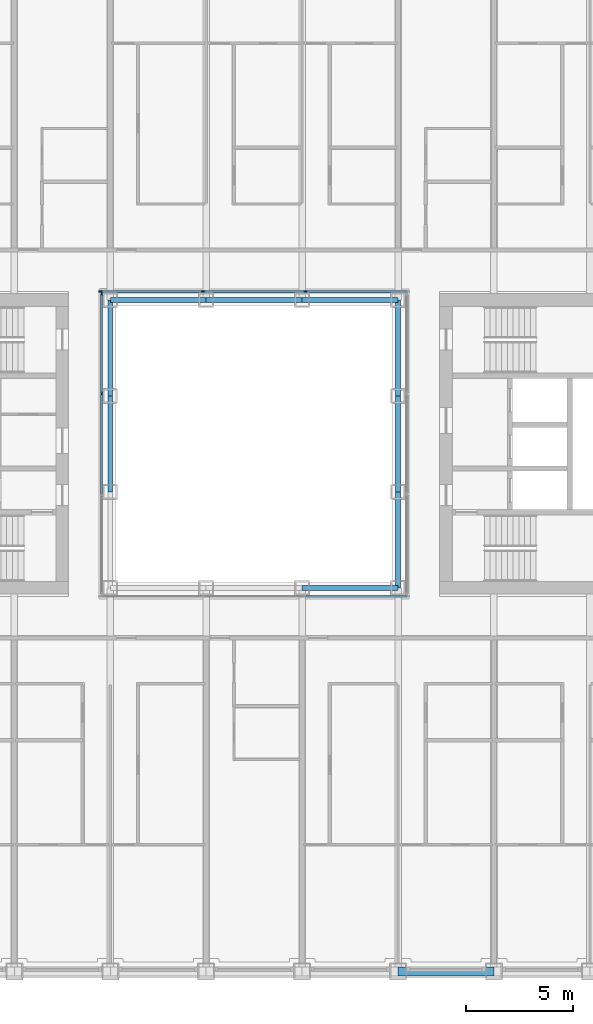
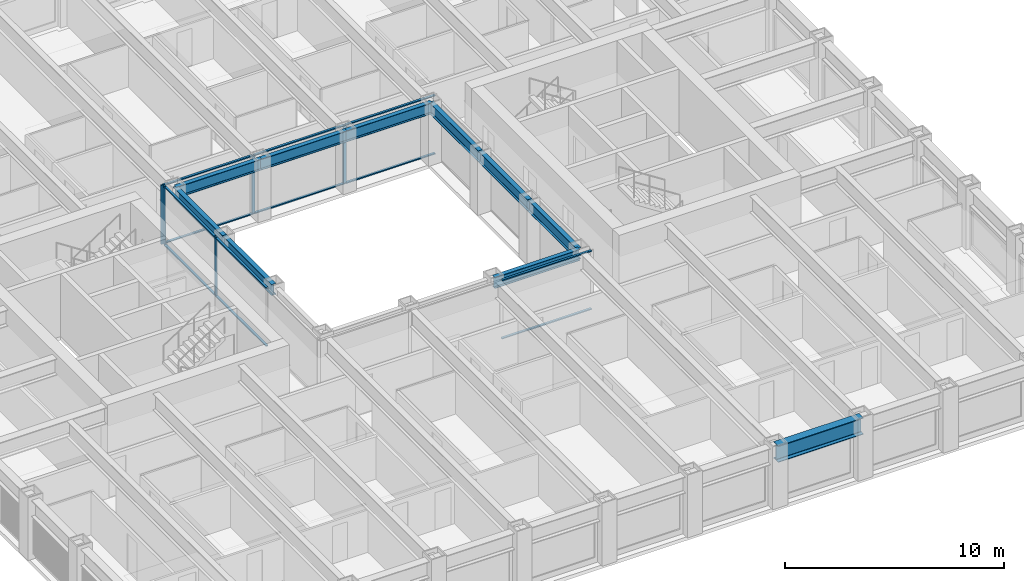
# One storey, part 4 of 20: 17 members, 10 beams, 3 elements without a shape of their own.
"""IFC4 building model written with IfcOpenShell, lengths in metres."""

from ifc_helpers import new_model, si_unit, direction, frame, origin, origin_2d, place, context, subcontext, project, spatial, rectangle, i_section, extrude, material, material_profile, profile_set, type_object, element, aggregate, save


model = new_model("IFC4")

# Units and contexts
model_context = context("Model", 3, precision=1e-05, world=origin(), true_north=direction((0.0, 1.0)))
body_context = subcontext(model_context, "Body", "Model", "MODEL_VIEW")
ifc_project = project(units=[si_unit("LENGTHUNIT", "METRE"), si_unit("AREAUNIT", "SQUARE_METRE"), si_unit("VOLUMEUNIT", "CUBIC_METRE"), si_unit("PLANEANGLEUNIT", "RADIAN"), si_unit("MASSUNIT", "GRAM", prefix="KILO")], contexts=[model_context])

# Site, building, storey
site_placement = place(None, origin())
site = spatial("IfcSite", under=ifc_project, at=site_placement, CompositionType="ELEMENT")
building_placement = place(site_placement, origin())
building = spatial("IfcBuilding", under=site, at=building_placement, Name="Msasa Ring Tower", CompositionType="ELEMENT")
storey_placement = place(building_placement, frame((0.0, 0.0, 61.5)))
storey = spatial("IfcBuildingStorey", under=building, at=storey_placement, Name="L15", CompositionType="ELEMENT", Elevation=61.5)

# Curtain wall, members
ifc_material_1 = material(Name="Aluminium curtain wall with clear glass", Category="aluminium")
curtain_wall_type = type_object("IfcCurtainWallType", Name="CW-W LIGHT WELL CURTAIN WALL", PredefinedType="NOTDEFINED", material=ifc_material_1)
curtain_wall_1_placement = place(storey_placement, origin())
curtain_wall_1 = element("IfcCurtainWall", 1, at=curtain_wall_1_placement, inside=storey, type_object=curtain_wall_type, Name="Light well curtain wall N L15", PredefinedType="NOTDEFINED")
ifc_material_2 = material(Name="Aluminium mullion", Category="aluminium")
ifc_material_profile_1 = material_profile(ifc_material_2, rectangle(XDim=0.06005859375, YDim=0.159912109375, at=origin_2d()), Name="AL 60x160")
ifc_profile_set_1 = profile_set([ifc_material_profile_1], Name="Aluminium mullion")
member_type_1 = type_object("IfcMemberType", Name="CW-W MULLION 60x160", PredefinedType="MULLION", material=ifc_profile_set_1)
member_1_placement = place(storey_placement, frame((-7.199951171875, 7.14990234375, 0.0), z_axis=(0.0, 0.0, 1.0), x_axis=(0.0, 1.0, 0.0)))
member_1 = element("IfcMember", 2, at=member_1_placement, type_object=member_type_1, Name="CW-W mullion 1", PredefinedType="MULLION", context=body_context, shape_type="SweptSolid", body=[
    extrude(rectangle(XDim=0.06005859375, YDim=0.159912109375, at=origin_2d()), origin(), (0.0, 0.0, 1.0), 3.300048828125),
])
member_2_placement = place(storey_placement, frame((-2.409912109375, 7.14990234375, 0.0), z_axis=(0.0, 0.0, 1.0), x_axis=(0.0, 1.0, 0.0)))
member_2 = element("IfcMember", 3, at=member_2_placement, type_object=member_type_1, Name="CW-W mullion 2", PredefinedType="MULLION", context=body_context, shape_type="SweptSolid", body=[
    extrude(rectangle(XDim=0.06005859375, YDim=0.159912109375, at=origin_2d()), origin(), (0.0, 0.0, 1.0), 3.300048828125),
])
member_3_placement = place(storey_placement, frame((2.409912109375, 7.14990234375, 0.0), z_axis=(0.0, 0.0, 1.0), x_axis=(0.0, 1.0, 0.0)))
member_3 = element("IfcMember", 4, at=member_3_placement, type_object=member_type_1, Name="CW-W mullion 3", PredefinedType="MULLION", context=body_context, shape_type="SweptSolid", body=[
    extrude(rectangle(XDim=0.06005859375, YDim=0.159912109375, at=origin_2d()), origin(), (0.0, 0.0, 1.0), 3.300048828125),
])

curtain_wall_2_placement = place(storey_placement, origin())
curtain_wall_2 = element("IfcCurtainWall", 5, at=curtain_wall_2_placement, inside=storey, type_object=curtain_wall_type, Name="Light well curtain wall W L15", PredefinedType="NOTDEFINED")
member_4_placement = place(storey_placement, frame((-7.14990234375, 2.356689453125, 0.0), z_axis=(0.0, 0.0, 1.0), x_axis=(-1.0, 0.0, 0.0)))
member_4 = element("IfcMember", 6, at=member_4_placement, type_object=member_type_1, Name="CW-W mullion 3", PredefinedType="MULLION", context=body_context, shape_type="SweptSolid", body=[
    extrude(rectangle(XDim=0.06005859375, YDim=0.159912109375, at=origin_2d()), origin(), (0.0, 0.0, 1.0), 3.300048828125),
])
member_5_placement = place(storey_placement, frame((-7.14990234375, 7.0400390625, 0.0), z_axis=(0.0, 0.0, 1.0), x_axis=(-1.0, 0.0, 0.0)))
member_5 = element("IfcMember", 7, at=member_5_placement, type_object=member_type_1, Name="CW-W mullion 4", PredefinedType="MULLION", context=body_context, shape_type="SweptSolid", body=[
    extrude(rectangle(XDim=0.06005859375, YDim=0.159912109375, at=origin_2d()), origin(), (0.0, 0.0, 1.0), 3.300048828125),
])

# Member
ifc_material_3 = material(Name="Aluminium transom", Category="aluminium")
ifc_material_profile_2 = material_profile(ifc_material_3, rectangle(XDim=0.1201171875, YDim=0.06005859375, at=origin_2d()), Name="AL 60x120")
ifc_profile_set_2 = profile_set([ifc_material_profile_2], Name="Aluminium transom")
member_type_2 = type_object("IfcMemberType", Name="CW-W TRANSOM 60x120", PredefinedType="USERDEFINED", material=ifc_profile_set_2)
member_6_placement = place(storey_placement, frame((-7.169921875, 7.14990234375, 0.030029296875), z_axis=(1.0, 0.0, 0.0), x_axis=(0.0, 1.0, 0.0)))
member_6 = element("IfcMember", 8, at=member_6_placement, type_object=member_type_2, Name="CW-W transom 1.1", ObjectType="TRANSOM", PredefinedType="USERDEFINED", context=body_context, shape_type="SweptSolid", body=[
    extrude(rectangle(XDim=0.1201171875, YDim=0.06005859375, at=origin_2d()), origin(), (0.0, 0.0, 1.0), 4.72998046875),
])

member_7_placement = place(storey_placement, frame((-7.169921875, 7.14990234375, 3.27001953125), z_axis=(1.0, 0.0, 0.0), x_axis=(0.0, 1.0, 0.0)))
member_7 = element("IfcMember", 9, at=member_7_placement, type_object=member_type_2, Name="CW-W transom 1.2", ObjectType="TRANSOM", PredefinedType="USERDEFINED", context=body_context, shape_type="SweptSolid", body=[
    extrude(rectangle(XDim=0.1201171875, YDim=0.06005859375, at=origin_2d()), origin(), (0.0, 0.0, 1.0), 4.72998046875),
])

member_8_placement = place(storey_placement, frame((-2.3798828125, 7.14990234375, 0.030029296875), z_axis=(1.0, 0.0, 0.0), x_axis=(0.0, 1.0, 0.0)))
member_8 = element("IfcMember", 10, at=member_8_placement, type_object=member_type_2, Name="CW-W transom 2.1", ObjectType="TRANSOM", PredefinedType="USERDEFINED", context=body_context, shape_type="SweptSolid", body=[
    extrude(rectangle(XDim=0.1201171875, YDim=0.06005859375, at=origin_2d()), origin(), (0.0, 0.0, 1.0), 4.759765625),
])

member_9_placement = place(storey_placement, frame((-2.3798828125, 7.14990234375, 3.27001953125), z_axis=(1.0, 0.0, 0.0), x_axis=(0.0, 1.0, 0.0)))
member_9 = element("IfcMember", 11, at=member_9_placement, type_object=member_type_2, Name="CW-W transom 2.2", ObjectType="TRANSOM", PredefinedType="USERDEFINED", context=body_context, shape_type="SweptSolid", body=[
    extrude(rectangle(XDim=0.1201171875, YDim=0.06005859375, at=origin_2d()), origin(), (0.0, 0.0, 1.0), 4.759765625),
])

member_10_placement = place(storey_placement, frame((2.43994140625, 7.14990234375, 0.030029296875), z_axis=(1.0, 0.0, 0.0), x_axis=(0.0, 1.0, 0.0)))
member_10 = element("IfcMember", 12, at=member_10_placement, type_object=member_type_2, Name="CW-W transom 3.1", ObjectType="TRANSOM", PredefinedType="USERDEFINED", context=body_context, shape_type="SweptSolid", body=[
    extrude(rectangle(XDim=0.1201171875, YDim=0.06005859375, at=origin_2d()), origin(), (0.0, 0.0, 1.0), 4.72998046875),
])

member_11_placement = place(storey_placement, frame((2.43994140625, 7.14990234375, 3.27001953125), z_axis=(1.0, 0.0, 0.0), x_axis=(0.0, 1.0, 0.0)))
member_11 = element("IfcMember", 13, at=member_11_placement, type_object=member_type_2, Name="CW-W transom 3.2", ObjectType="TRANSOM", PredefinedType="USERDEFINED", context=body_context, shape_type="SweptSolid", body=[
    extrude(rectangle(XDim=0.1201171875, YDim=0.06005859375, at=origin_2d()), origin(), (0.0, 0.0, 1.0), 4.72998046875),
])

aggregate(curtain_wall_1, [member_1, member_2, member_3, member_6, member_7, member_8, member_9, member_10, member_11])

# Curtain wall, members
curtain_wall_3_placement = place(storey_placement, origin())
curtain_wall_3 = element("IfcCurtainWall", 14, at=curtain_wall_3_placement, inside=storey, type_object=curtain_wall_type, Name="Light well curtain wall S L15", PredefinedType="NOTDEFINED")
member_12_placement = place(storey_placement, frame((2.43994140625, -7.14990234375, 0.030029296875), z_axis=(1.0, 0.0, 0.0), x_axis=(0.0, 1.0, 0.0)))
member_12 = element("IfcMember", 15, at=member_12_placement, type_object=member_type_2, Name="CW-W transom 3.1", ObjectType="TRANSOM", PredefinedType="USERDEFINED", context=body_context, shape_type="SweptSolid", body=[
    extrude(rectangle(XDim=0.1201171875, YDim=0.06005859375, at=origin_2d()), origin(), (0.0, 0.0, 1.0), 4.72998046875),
])
member_13_placement = place(storey_placement, frame((2.43994140625, -7.14990234375, 3.27001953125), z_axis=(1.0, 0.0, 0.0), x_axis=(0.0, 1.0, 0.0)))
member_13 = element("IfcMember", 16, at=member_13_placement, type_object=member_type_2, Name="CW-W transom 3.2", ObjectType="TRANSOM", PredefinedType="USERDEFINED", context=body_context, shape_type="SweptSolid", body=[
    extrude(rectangle(XDim=0.1201171875, YDim=0.06005859375, at=origin_2d()), origin(), (0.0, 0.0, 1.0), 4.72998046875),
])
aggregate(curtain_wall_3, [member_12, member_13])

# Member
member_14_placement = place(storey_placement, frame((-7.14990234375, -2.32666015625, 0.030029296875), z_axis=(0.0, 1.0, 0.0), x_axis=(-1.0, 0.0, 0.0)))
member_14 = element("IfcMember", 17, at=member_14_placement, type_object=member_type_2, Name="CW-W transom 2.1", ObjectType="TRANSOM", PredefinedType="USERDEFINED", context=body_context, shape_type="SweptSolid", body=[
    extrude(rectangle(XDim=0.1201171875, YDim=0.06005859375, at=origin_2d()), origin(), (0.0, 0.0, 1.0), 4.6533203125),
])

member_15_placement = place(storey_placement, frame((-7.14990234375, -2.32666015625, 3.27001953125), z_axis=(0.0, 1.0, 0.0), x_axis=(-1.0, 0.0, 0.0)))
member_15 = element("IfcMember", 18, at=member_15_placement, type_object=member_type_2, Name="CW-W transom 2.2", ObjectType="TRANSOM", PredefinedType="USERDEFINED", context=body_context, shape_type="SweptSolid", body=[
    extrude(rectangle(XDim=0.1201171875, YDim=0.06005859375, at=origin_2d()), origin(), (0.0, 0.0, 1.0), 4.6533203125),
])

member_16_placement = place(storey_placement, frame((-7.14990234375, 2.38671875, 0.030029296875), z_axis=(0.0, 1.0, 0.0), x_axis=(-1.0, 0.0, 0.0)))
member_16 = element("IfcMember", 19, at=member_16_placement, type_object=member_type_2, Name="CW-W transom 3.1", ObjectType="TRANSOM", PredefinedType="USERDEFINED", context=body_context, shape_type="SweptSolid", body=[
    extrude(rectangle(XDim=0.1201171875, YDim=0.06005859375, at=origin_2d()), origin(), (0.0, 0.0, 1.0), 4.623291015625),
])

member_17_placement = place(storey_placement, frame((-7.14990234375, 2.38671875, 3.27001953125), z_axis=(0.0, 1.0, 0.0), x_axis=(-1.0, 0.0, 0.0)))
member_17 = element("IfcMember", 20, at=member_17_placement, type_object=member_type_2, Name="CW-W transom 3.2", ObjectType="TRANSOM", PredefinedType="USERDEFINED", context=body_context, shape_type="SweptSolid", body=[
    extrude(rectangle(XDim=0.1201171875, YDim=0.06005859375, at=origin_2d()), origin(), (0.0, 0.0, 1.0), 4.623291015625),
])

aggregate(curtain_wall_2, [member_4, member_5, member_14, member_15, member_16, member_17])

# Beams
ifc_material_4 = material(Name="Steel S355", Category="steel")
ifc_material_profile_3 = material_profile(ifc_material_4, i_section(OverallWidth=0.230224609375, OverallDepth=0.6171875, WebThickness=0.01318359375, FlangeThickness=0.022216796875, FilletRadius=0.0126953125, at=origin_2d()), Name="UB 610x229x140")
ifc_profile_set_3 = profile_set([ifc_material_profile_3], Name="Steel S355")
beam_type_1 = type_object("IfcBeamType", Name="RB1 UB 610x229x140", PredefinedType="BEAM", material=ifc_profile_set_3)
for number, where, z_axis, x_axis, name in (
    (21, (2.25, -6.75, 2.991455078125), (1.0, 0.0, 0.0), (0.0, 1.0, 0.0), "Inner ring beam IR+2.25-6.75 under L16"),
    (22, (6.75, -6.75, 2.991455078125), (0.0, 1.0, 0.0), (-1.0, 0.0, 0.0), "Inner ring beam IR+6.75-6.75 under L16"),
    (23, (6.75, -2.25, 2.991455078125), (0.0, 1.0, 0.0), (-1.0, 0.0, 0.0), "Inner ring beam IR+6.75-2.25 under L16"),
    (24, (6.75, 2.25, 2.991455078125), (0.0, 1.0, 0.0), (-1.0, 0.0, 0.0), "Inner ring beam IR+6.75+2.25 under L16"),
    (25, (6.75, 6.75, 2.991455078125), (-1.0, 0.0, 0.0), (0.0, -1.0, 0.0), "Inner ring beam IR+6.75+6.75 under L16"),
    (26, (2.25, 6.75, 2.991455078125), (-1.0, 0.0, 0.0), (0.0, -1.0, 0.0), "Inner ring beam IR+2.25+6.75 under L16"),
    (27, (-2.25, 6.75, 2.991455078125), (-1.0, 0.0, 0.0), (0.0, -1.0, 0.0), "Inner ring beam IR-2.25+6.75 under L16"),
    (28, (-6.75, 6.75, 2.991455078125), (0.0, -1.0, 0.0), (1.0, 0.0, 0.0), "Inner ring beam IR-6.75+6.75 under L16"),
    (29, (-6.75, 2.25, 2.991455078125), (0.0, -1.0, 0.0), (1.0, 0.0, 0.0), "Inner ring beam IR-6.75+2.25 under L16"),
):
    element("IfcBeam", number, at=place(storey_placement, frame(where, z_axis=z_axis, x_axis=x_axis)), inside=storey, type_object=beam_type_1, Name=name, PredefinedType="BEAM", context=body_context, shape_type="SweptSolid", body=[
        extrude(i_section(OverallWidth=0.230224609375, OverallDepth=0.6171875, WebThickness=0.01318359375, FlangeThickness=0.022216796875, FilletRadius=0.0126953125, at=origin_2d()), origin(), (0.0, 0.0, 1.0), 4.5),
    ])
ifc_material_5 = material(Name="Steel S355", Category="steel")
ifc_material_profile_4 = material_profile(ifc_material_5, i_section(OverallWidth=0.42041015625, OverallDepth=0.9208984375, WebThickness=0.021484375, FlangeThickness=0.03662109375, FilletRadius=0.024169921875, at=origin_2d()), Name="UB 914x419x388")
ifc_profile_set_4 = profile_set([ifc_material_profile_4], Name="Steel S355")
beam_type_2 = type_object("IfcBeamType", Name="SB1 UB 914x419x388", PredefinedType="SPANDREL", material=ifc_profile_set_4)
beam_placement = place(storey_placement, frame((6.75, -24.75, 2.839599609375), z_axis=(1.0, 0.0, 0.0), x_axis=(0.0, 1.0, 0.0)))
element("IfcBeam", 30, at=beam_placement, inside=storey, type_object=beam_type_2, Name="Spandrel S+6.75 to S+11.25 under L16", PredefinedType="SPANDREL", context=body_context, shape_type="SweptSolid", body=[
    extrude(i_section(OverallWidth=0.42041015625, OverallDepth=0.9208984375, WebThickness=0.021484375, FlangeThickness=0.03662109375, FilletRadius=0.024169921875, at=origin_2d()), origin(), (0.0, 0.0, 1.0), 4.5),
])

save(model, "model.ifc")
